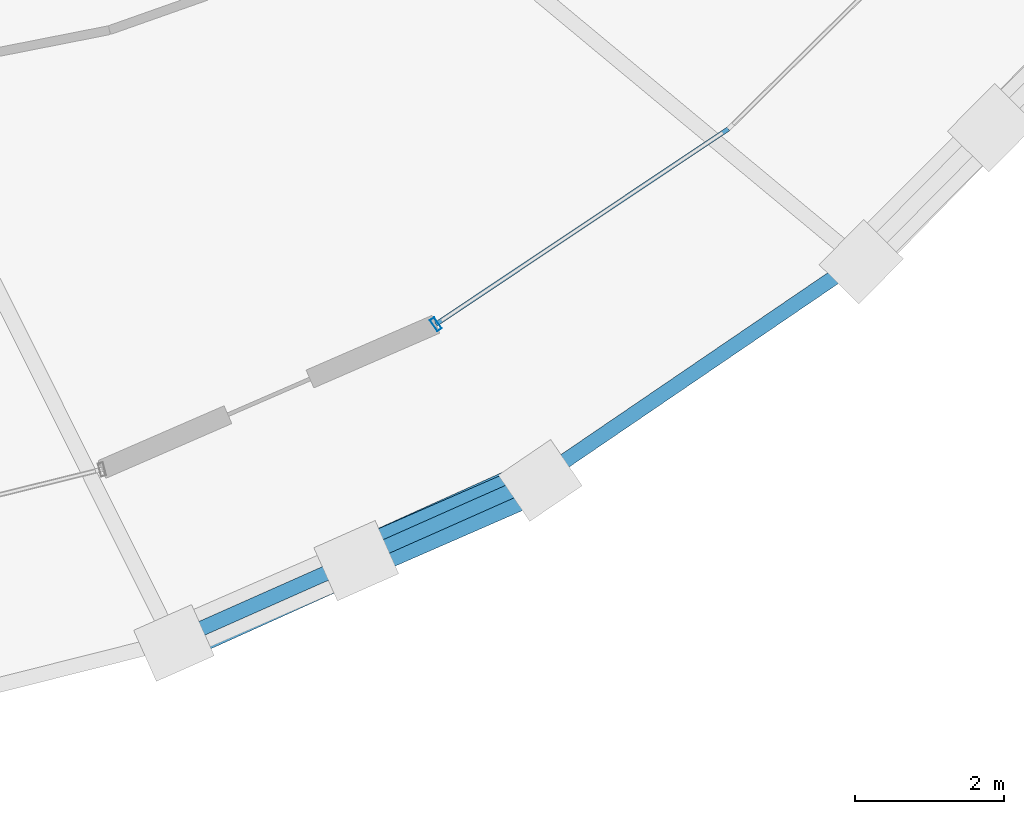
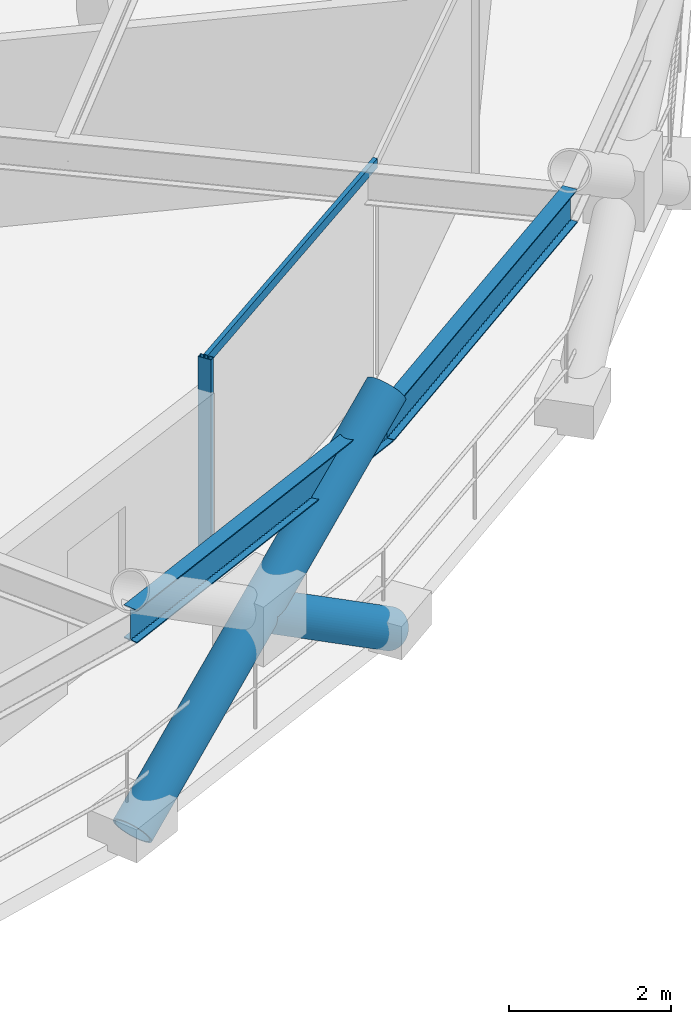
# One storey, part 5 of 21: 4 members, 2 beams, 1 element without a shape of its own.
"""IFC4 building model written with IfcOpenShell, lengths in metres."""

import ifcopenshell
import ifcopenshell.guid

model = None  # the IFC model being written
_history = None  # IfcOwnerHistory: only IFC2X3 demands one
_inside = {}  # id of a spatial element -> (the spatial element, [elements in it])
_under = {}  # id of a project, library or spatial element -> (it, [spatial elements below it])
_declared = {}  # id of a project -> (the project, [libraries it declares])
_typed = {}  # id of a type object -> (the type object, [elements of that type])
_made_of = {}  # id of a material, layer set ... -> (it, [elements and type objects made of it])


def new_model(schema):
    """Start an empty IFC model of exactly this schema.

    Asked for "IFC4X3", IfcOpenShell would pick the latest addendum, in which some entities
    have other attributes; the version numbers below select the first issue.
    IFC2X3 requires an IfcOwnerHistory on every rooted entity: one is made here for all.
    """
    global model, _history
    if schema == "IFC4X3":
        model = ifcopenshell.file(schema_version=(4, 3, 0, 0))
    else:
        model = ifcopenshell.file(schema=schema)
    _inside.clear()
    _under.clear()
    _declared.clear()
    _typed.clear()
    _made_of.clear()
    _history = None
    if model.schema == "IFC2X3":
        org = make("IfcOrganization", Name="unknown")
        user = make(
            "IfcPersonAndOrganization",
            ThePerson=make("IfcPerson", FamilyName="unknown"),
            TheOrganization=org,
        )
        app = make(
            "IfcApplication",
            ApplicationDeveloper=org,
            Version="unknown",
            ApplicationFullName="unknown",
            ApplicationIdentifier="unknown",
        )
        _history = make(
            "IfcOwnerHistory",
            OwningUser=user,
            OwningApplication=app,
            ChangeAction="ADDED",
            CreationDate=0,
        )
    return model


def make(cls, **values):
    """One entity of the class cls with the attributes given. An attribute that is None is left unset."""
    return model.create_entity(
        cls, **{name: value for name, value in values.items() if value is not None}
    )


def rooted(cls, **values):
    """An entity with a GlobalId (a new one), such as an element, a storey or a relation."""
    return make(cls, GlobalId=ifcopenshell.guid.new(), OwnerHistory=_history, **values)


def si_unit(unit_type, name, prefix=None):
    """IfcSIUnit, for example si_unit("LENGTHUNIT", "METRE", prefix="MILLI")."""
    return make("IfcSIUnit", UnitType=unit_type, Prefix=prefix, Name=name)


def assignment(units):
    """IfcUnitAssignment: the units of a project."""
    return None if units is None else make("IfcUnitAssignment", Units=units)


def point(xyz):
    """IfcCartesianPoint."""
    return None if xyz is None else make("IfcCartesianPoint", Coordinates=xyz)


def direction(xyz):
    """IfcDirection."""
    return None if xyz is None else make("IfcDirection", DirectionRatios=xyz)


def frame(location, z_axis=None, x_axis=None):
    """IfcAxis2Placement3D, a coordinate frame: its origin and axes. An axis left out is left unset."""
    return make(
        "IfcAxis2Placement3D",
        Location=point(location),
        Axis=direction(z_axis),
        RefDirection=direction(x_axis),
    )


def frame_2d(location, x_axis=None):
    """IfcAxis2Placement2D, a coordinate frame in the plane: its origin and x axis."""
    return make(
        "IfcAxis2Placement2D", Location=point(location), RefDirection=direction(x_axis)
    )


def origin():
    """The frame at (0, 0, 0) with its axes left unset."""
    return frame((0.0, 0.0, 0.0))


def origin_2d():
    """The frame at (0, 0) in the plane with its x axis left unset."""
    return frame_2d((0.0, 0.0))


def place(relative_to, where):
    """IfcLocalPlacement: puts the frame where relative to a parent placement (None: the world)."""
    return make(
        "IfcLocalPlacement", PlacementRelTo=relative_to, RelativePlacement=where
    )


def context(
    kind, dimensions, precision=None, world=None, true_north=None, identifier=None
):
    """IfcGeometricRepresentationContext, for example the 3D "Model" context."""
    return make(
        "IfcGeometricRepresentationContext",
        ContextIdentifier=identifier,
        ContextType=kind,
        CoordinateSpaceDimension=dimensions,
        Precision=precision,
        WorldCoordinateSystem=world,
        TrueNorth=true_north,
    )


def subcontext(parent, identifier, kind, view, scale=None):
    """IfcGeometricRepresentationSubContext, for example "Body" below "Model"."""
    return make(
        "IfcGeometricRepresentationSubContext",
        ContextIdentifier=identifier,
        ContextType=kind,
        ParentContext=parent,
        TargetScale=scale,
        TargetView=view,
    )


def project(units=None, contexts=None):
    """IfcProject with its units and contexts."""
    return rooted(
        "IfcProject",
        Name="project",
        RepresentationContexts=contexts,
        UnitsInContext=assignment(units),
    )


def spatial(cls, under=None, at=None, **own):
    """A site, building, storey or space (cls), placed at a placement, below another one or the project."""
    s = rooted(cls, ObjectPlacement=at, **own)
    if under is not None:
        _under.setdefault(under.id(), (under, []))[1].append(s)
    return s


def profile(cls, at=None, kind="AREA", **sizes):
    """A parametric profile (cls). Its sizes go by their IFC names, for example OverallWidth=200.0."""
    return make(cls, ProfileType=kind, Position=at, **sizes)


def hollow_rectangle(**sizes):
    """IfcRectangleHollowProfileDef."""
    return profile("IfcRectangleHollowProfileDef", **sizes)


def hollow_circle(**sizes):
    """IfcCircleHollowProfileDef."""
    return profile("IfcCircleHollowProfileDef", **sizes)


def i_section(**sizes):
    """IfcIShapeProfileDef."""
    return profile("IfcIShapeProfileDef", **sizes)


def extrude(swept, where, along, depth):
    """IfcExtrudedAreaSolid: the profile swept, set in the frame where, extruded along a direction by depth."""
    return make(
        "IfcExtrudedAreaSolid",
        SweptArea=swept,
        Position=where,
        ExtrudedDirection=direction(along),
        Depth=depth,
    )


def shape(context_of_items, identifier, shape_type, items):
    """IfcShapeRepresentation: the items that make up one representation, for example the "Body"."""
    return make(
        "IfcShapeRepresentation",
        ContextOfItems=context_of_items,
        RepresentationIdentifier=identifier,
        RepresentationType=shape_type,
        Items=items,
    )


def material(Name=None, Category=None):
    """IfcMaterial."""
    return make("IfcMaterial", Name=Name, Category=Category)


def layer(
    of_material, thickness, ventilated=None, Name=None, Category=None, Priority=None
):
    """IfcMaterialLayer: one layer of a wall or slab, of a material (None: an air gap)."""
    return make(
        "IfcMaterialLayer",
        Material=of_material,
        LayerThickness=thickness,
        IsVentilated=ventilated,
        Name=Name,
        Category=Category,
        Priority=Priority,
    )


def layer_set(layers, Name=None):
    """IfcMaterialLayerSet."""
    return make("IfcMaterialLayerSet", MaterialLayers=layers, LayerSetName=Name)


def material_profile(
    of_material, cross_section, Name=None, Category=None, Priority=None
):
    """IfcMaterialProfile: a cross section and its material."""
    return make(
        "IfcMaterialProfile",
        Name=Name,
        Material=of_material,
        Profile=cross_section,
        Priority=Priority,
        Category=Category,
    )


def profile_set(profiles, Name=None, composite=None):
    """IfcMaterialProfileSet."""
    return make(
        "IfcMaterialProfileSet",
        Name=Name,
        MaterialProfiles=profiles,
        CompositeProfile=composite,
    )


def made_of(thing, what):
    """Note that an element or type object is made of a material, layer set ...; save() writes the relation."""
    if what is not None:
        _made_of.setdefault(what.id(), (what, []))[1].append(thing)
    return thing


def type_object(cls, material=None, **own):
    """A type object (cls), such as IfcWallType, which elements share."""
    return made_of(rooted(cls, **own), material)


def element(
    cls,
    number,
    at=None,
    inside=None,
    cuts=None,
    type_object=None,
    material=None,
    context=None,
    identifier="Body",
    shape_type=None,
    held_by="IfcProductDefinitionShape",
    body=None,
    shapes=None,
    **own,
):
    """One element of the class cls, such as IfcWall. Its Tag is "e" and its number.

    at: its placement. inside: the storey or other place that contains it. cuts: it is an
    opening in that element (IfcRelVoidsElement). A single representation is given by context,
    identifier, shape_type and body (its items); several are given by shapes. held_by: the class
    of the entity that holds the representations. save() writes the other relations.
    """
    e = rooted(cls, Tag="e%d" % number, ObjectPlacement=at, **own)
    if body is not None:
        shapes = [shape(context, identifier, shape_type, body)]
    if shapes is not None:
        e.Representation = make(held_by, Representations=shapes)
    if inside is not None:
        _inside.setdefault(inside.id(), (inside, []))[1].append(e)
    if cuts is not None:
        rooted(
            "IfcRelVoidsElement", RelatingBuildingElement=cuts, RelatedOpeningElement=e
        )
    if type_object is not None:
        _typed.setdefault(type_object.id(), (type_object, []))[1].append(e)
    return made_of(e, material)


def aggregate(whole, parts):
    """IfcRelAggregates: a whole, such as a stair, and the parts it consists of."""
    return rooted("IfcRelAggregates", RelatingObject=whole, RelatedObjects=parts)


def save(model, path):
    """Write the relations noted so far, then the file.

    IfcRelAggregates (storeys below a building ...), IfcRelContainedInSpatialStructure (elements
    in a storey), IfcRelDefinesByType, IfcRelAssociatesMaterial and IfcRelDeclares: one each for
    every whole, place, type object, material and project.
    """
    for whole, parts in _under.values():
        aggregate(whole, parts)
    for where, things in _inside.values():
        rooted(
            "IfcRelContainedInSpatialStructure",
            RelatedElements=things,
            RelatingStructure=where,
        )
    for kind, things in _typed.values():
        rooted("IfcRelDefinesByType", RelatedObjects=things, RelatingType=kind)
    for what, things in _made_of.values():
        rooted("IfcRelAssociatesMaterial", RelatedObjects=things, RelatingMaterial=what)
    for by, libraries in _declared.values():
        rooted("IfcRelDeclares", RelatingContext=by, RelatedDefinitions=libraries)
    model.write(path)


model = new_model("IFC4")

# Units and contexts
model_context = context("Model", 3, precision=1e-05, world=origin(), true_north=direction((0.0, 1.0)))
body_context = subcontext(model_context, "Body", "Model", "MODEL_VIEW")
ifc_project = project(units=[si_unit("LENGTHUNIT", "METRE"), si_unit("AREAUNIT", "SQUARE_METRE"), si_unit("VOLUMEUNIT", "CUBIC_METRE"), si_unit("PLANEANGLEUNIT", "RADIAN"), si_unit("MASSUNIT", "GRAM", prefix="KILO")], contexts=[model_context])

# Site, building, storey
site_placement = place(None, origin())
site = spatial("IfcSite", under=ifc_project, at=site_placement, CompositionType="ELEMENT")
building_placement = place(site_placement, origin())
building = spatial("IfcBuilding", under=site, at=building_placement, Name="Veldorina Hangang Commons", CompositionType="ELEMENT")
storey_placement = place(building_placement, frame((0.0, 0.0, 142.39990234375)))
storey = spatial("IfcBuildingStorey", under=building, at=storey_placement, Name="L36", CompositionType="ELEMENT", Elevation=142.39990234375)

# Beams
ifc_material_1 = material(Name="Steel SM420-TMC", Category="steel")
ifc_material_profile_1 = material_profile(ifc_material_1, i_section(OverallWidth=0.199951171875, OverallDepth=0.5, WebThickness=0.010009765625, FlangeThickness=0.01611328125, FilletRadius=0.01611328125, at=origin_2d()), Name="H-500x200x10x16")
ifc_profile_set_1 = profile_set([ifc_material_profile_1], Name="Steel SM420-TMC")
beam_type = type_object("IfcBeamType", Name="BM-RB500", PredefinedType="BEAM", material=ifc_profile_set_1)
beam_1_placement = place(storey_placement, frame((42.859130859375, 2.22998046875, 3.10009765625), z_axis=(0.913999013656, 0.405716407157, 0.0), x_axis=(-0.405716407157, 0.913999013656, 0.0)))
element("IfcBeam", 1, at=beam_1_placement, inside=storey, type_object=beam_type, Name="L36 perimeter hoop ring beam 26", PredefinedType="BEAM", context=body_context, shape_type="SweptSolid", body=[
    extrude(i_section(OverallWidth=0.199951171875, OverallDepth=0.5, WebThickness=0.010009765625, FlangeThickness=0.01611328125, FilletRadius=0.01611328125, at=origin_2d()), origin(), (0.0, 0.0, 1.0), 5.36767578125),
])
beam_2_placement = place(storey_placement, frame((47.76513671875, 4.40771484375, 3.10009765625), z_axis=(0.826377201596, 0.563116968918, 0.0), x_axis=(-0.563116968918, 0.826377201596, 0.0)))
element("IfcBeam", 2, at=beam_2_placement, inside=storey, type_object=beam_type, Name="L36 perimeter hoop ring beam 27", PredefinedType="BEAM", context=body_context, shape_type="SweptSolid", body=[
    extrude(i_section(OverallWidth=0.199951171875, OverallDepth=0.5, WebThickness=0.010009765625, FlangeThickness=0.01611328125, FilletRadius=0.01611328125, at=origin_2d()), origin(), (0.0, 0.0, 1.0), 5.20361328125),
])

# Curtain wall, members
ifc_material_2 = material(Name="Glass Low-E Triple IGU", Category="glass")
ifc_layer = layer(ifc_material_2, 0.179931640625)
ifc_layer_set = layer_set([ifc_layer], Name="Glass Low-E Triple IGU")
curtain_wall_type = type_object("IfcCurtainWallType", Name="CW-SYS-Z2", PredefinedType="NOTDEFINED", material=ifc_layer_set)
curtain_wall_placement = place(storey_placement, origin())
curtain_wall = element("IfcCurtainWall", 3, at=curtain_wall_placement, inside=storey, type_object=curtain_wall_type, Name="L36 unitised curtain wall CW-L36-R2", PredefinedType="NOTDEFINED")
ifc_material_3 = material(Name="Aluminium Anodized AA6063-T6", Category="aluminium")
ifc_material_profile_2 = material_profile(ifc_material_3, hollow_rectangle(XDim=0.070068359375, YDim=0.179931640625, WallThickness=0.00390625, at=origin_2d()), Name="ALU-RHS-180x70x4")
ifc_profile_set_2 = profile_set([ifc_material_profile_2], Name="Aluminium Anodized AA6063-T6")
member_type_1 = type_object("IfcMemberType", Name="CW-MUL-180", PredefinedType="MULLION", material=ifc_profile_set_2)
member_1_placement = place(storey_placement, frame((46.38623046875, 6.480712890625, 0.0), z_axis=(0.0, 0.0, 1.0), x_axis=(0.831624724357, 0.555338021243, 0.0)))
member_1 = element("IfcMember", 4, at=member_1_placement, type_object=member_type_1, Name="CW-L36-R2 vertical mullion 1", PredefinedType="MULLION", context=body_context, shape_type="SweptSolid", body=[
    extrude(hollow_rectangle(XDim=0.070068359375, YDim=0.179931640625, WallThickness=0.00390625, at=origin_2d()), origin(), (0.0, 0.0, 1.0), 3.31005859375),
])
ifc_material_profile_3 = material_profile(ifc_material_3, hollow_rectangle(XDim=0.06005859375, YDim=0.139892578125, WallThickness=0.00341796875, at=origin_2d()), Name="ALU-RHS-140x60x3.5")
ifc_profile_set_3 = profile_set([ifc_material_profile_3], Name="Aluminium Anodized AA6063-T6")
member_type_2 = type_object("IfcMemberType", Name="CW-TRN-140", PredefinedType="USERDEFINED", material=ifc_profile_set_3)
member_2_placement = place(storey_placement, frame((46.38623046875, 6.480712890625, 3.27001953125), z_axis=(0.831628168029, 0.555332864273, 0.0), x_axis=(-0.555332864273, 0.831628168029, 0.0)))
member_2 = element("IfcMember", 5, at=member_2_placement, type_object=member_type_2, Name="CW-L36-R2 facet 1 transom 1", ObjectType="TRANSOM", PredefinedType="USERDEFINED", context=body_context, shape_type="SweptSolid", body=[
    extrude(hollow_rectangle(XDim=0.06005859375, YDim=0.139892578125, WallThickness=0.00341796875, at=origin_2d()), origin(), (0.0, 0.0, 1.0), 4.718505859375),
])
aggregate(curtain_wall, [member_1, member_2])

# Members
ifc_material_profile_4 = material_profile(ifc_material_1, hollow_circle(Radius=0.27490234375, WallThickness=0.028076171875, at=origin_2d()), Name="CHS-550x28")
ifc_profile_set_4 = profile_set([ifc_material_profile_4], Name="Steel SM420-TMC")
member_type_3 = type_object("IfcMemberType", Name="DG-CHS550", PredefinedType="BRACE", material=ifc_profile_set_4)
member_3_placement = place(storey_placement, frame((42.873779296875, 2.205322265625, 0.0), z_axis=(0.756767980467, 0.34151134826, 0.557379783226), x_axis=(-0.411331765893, 0.911485698389, 0.0)))
element("IfcMember", 6, at=member_3_placement, inside=storey, type_object=member_type_3, Name="L36 continuous perimeter diagrid brace 26", PredefinedType="BRACE", context=body_context, shape_type="SweptSolid", body=[
    extrude(hollow_circle(Radius=0.27490234375, WallThickness=0.028076171875, at=origin_2d()), origin(), (0.0, 0.0, 1.0), 6.458984375),
])
member_4_placement = place(storey_placement, frame((47.786376953125, 4.385498046875, 0.0), z_axis=(-0.761661500806, -0.332360011585, 0.556245072688), x_axis=(0.399943070544, -0.916539982938, 0.0)))
element("IfcMember", 7, at=member_4_placement, inside=storey, type_object=member_type_3, Name="L36 split perimeter diagrid lower brace 27", PredefinedType="BRACE", context=body_context, shape_type="SweptSolid", body=[
    extrude(hollow_circle(Radius=0.27490234375, WallThickness=0.028076171875, at=origin_2d()), origin(), (0.0, 0.0, 1.0), 3.23876953125),
])

save(model, "model.ifc")
